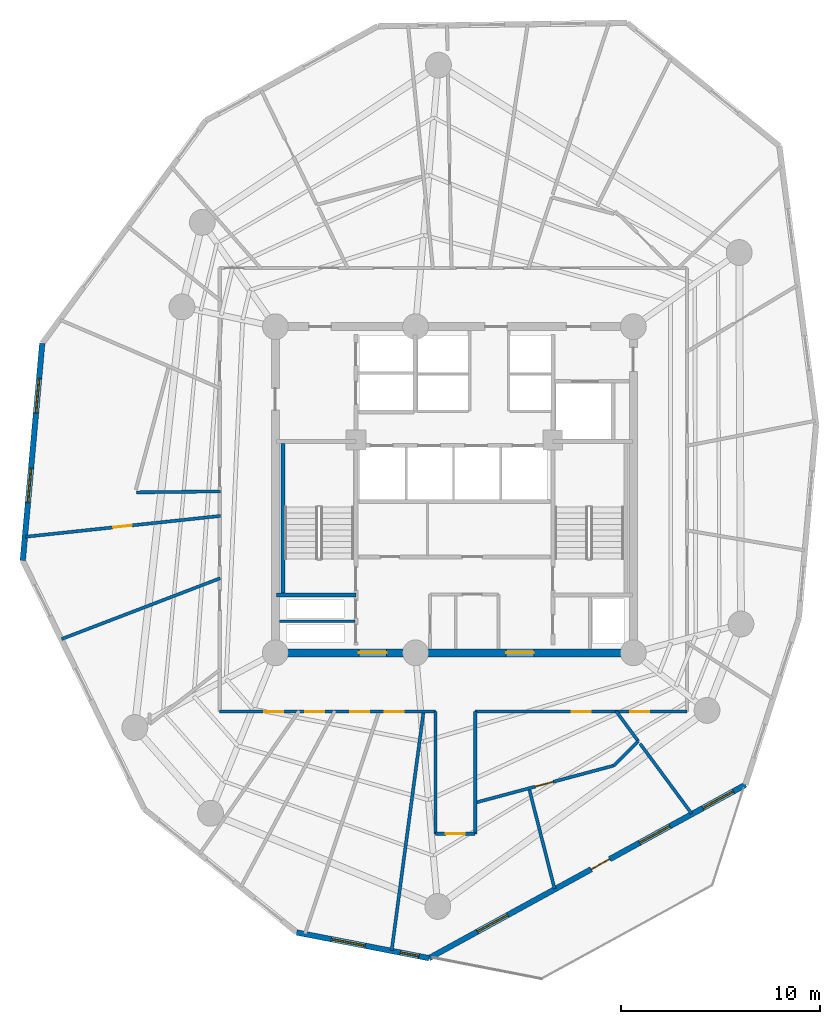
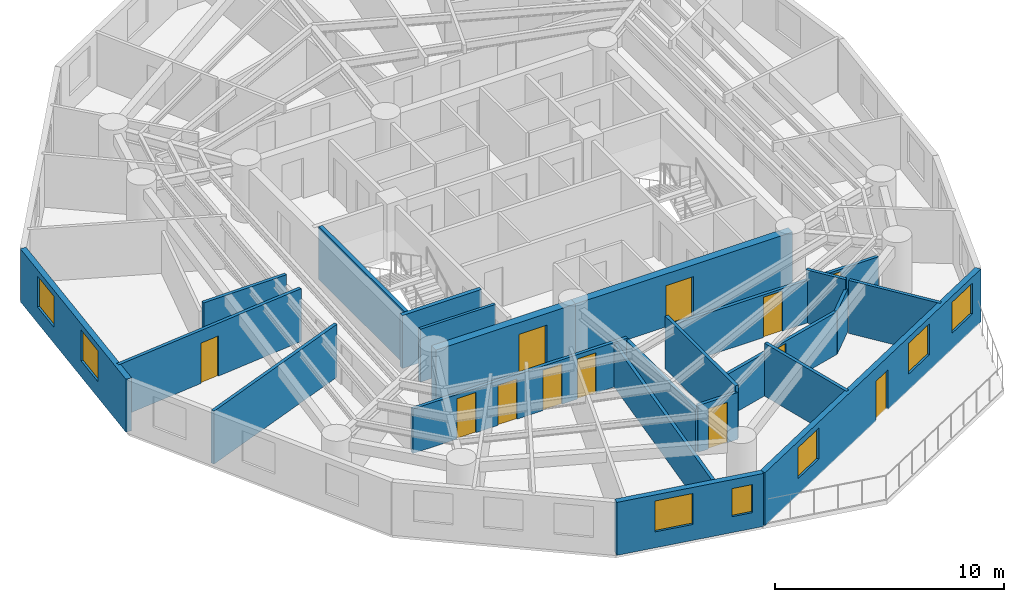
# One storey, part 3 of 8: 22 walls, 12 doors, 7 windows, 19 openings.
"""IFC4 building model written with IfcOpenShell, lengths in metres."""

from ifc_helpers import new_model, si_unit, direction, frame, frame_2d, origin, origin_with_axes, place, context, subcontext, project, spatial, rectangle, extrude, source, transform, mapped, material, layer, layer_set, type_object, element, fill, save


model = new_model("IFC4")

# Units and contexts
model_context = context("Model", 3, precision=1e-05, world=origin(), true_north=direction((0.0, 1.0)))
body_context = subcontext(model_context, "Body", "Model", "MODEL_VIEW")
ifc_project = project(units=[si_unit("LENGTHUNIT", "METRE"), si_unit("AREAUNIT", "SQUARE_METRE"), si_unit("VOLUMEUNIT", "CUBIC_METRE"), si_unit("PLANEANGLEUNIT", "RADIAN"), si_unit("MASSUNIT", "GRAM", prefix="KILO")], contexts=[model_context])

# Site, building, storey
site_placement = place(None, origin())
site = spatial("IfcSite", under=ifc_project, at=site_placement, CompositionType="ELEMENT")
building_placement = place(site_placement, origin())
building = spatial("IfcBuilding", under=site, at=building_placement, Name="Karkom Vertical University and Central Library", CompositionType="ELEMENT")
storey_placement = place(building_placement, frame((0.0, 0.0, 174.85009765625)))
storey = spatial("IfcBuildingStorey", under=building, at=storey_placement, Name="L50", CompositionType="ELEMENT", Elevation=174.85009765625)

# Wall, openings, windows
ifc_material_1 = material(Name="Brick-faced precast concrete C45/55", Category="masonry")
ifc_layer_1 = layer(ifc_material_1, 0.280029296875)
ifc_layer_set_1 = layer_set([ifc_layer_1], Name="Brick-faced precast concrete C45/55")
wall_type_1 = type_object("IfcWallType", Name="ENV-WL-BRK-280", PredefinedType="SOLIDWALL", material=ifc_layer_set_1)
wall_1_placement = place(storey_placement, frame((20.572021484375, 4.240234375, 0.0), z_axis=(0.0, 0.0, 1.0), x_axis=(0.981648925616, -0.190697107574, 0.0)))
wall_1 = element("IfcWall", 1, at=wall_1_placement, inside=storey, type_object=wall_type_1, Name="Level 50 Brick-Faced Precast Facade Wall 03", PredefinedType="SOLIDWALL", context=body_context, shape_type="SweptSolid", body=[
    extrude(rectangle(XDim=6.779052734375, YDim=0.280029296875, at=frame_2d((3.3896484375, 0.0))), origin(), (0.0, 0.0, 1.0), 2.824951171875),
])
opening_1_placement = place(wall_1_placement, frame((1.769287109375, 0.0, 0.85009765625)))
opening_1 = element("IfcOpeningElement", 2, at=opening_1_placement, cuts=wall_1, Name="Opening WN-08", PredefinedType="OPENING", context=body_context, shape_type="SweptSolid", body=[
    extrude(rectangle(XDim=1.75, YDim=1.64990234375, at=frame_2d((0.875, 0.824951171875))), frame((0.0, 0.14990234375, 0.0), z_axis=(0.0, -1.0, 0.0), x_axis=(1.0, 0.0, 0.0)), (0.0, 0.0, 1.0), 0.300048828125),
])
opening_2_placement = place(wall_1_placement, frame((5.314208984375, 0.0, 0.85009765625)))
opening_2 = element("IfcOpeningElement", 3, at=opening_2_placement, cuts=wall_1, Name="Opening WN-12", PredefinedType="OPENING", context=body_context, shape_type="SweptSolid", body=[
    extrude(rectangle(XDim=0.949951171875, YDim=1.5, at=frame_2d((0.47509765625, 0.75))), frame((0.0, 0.14990234375, 0.0), z_axis=(0.0, -1.0, 0.0), x_axis=(1.0, 0.0, 0.0)), (0.0, 0.0, 1.0), 0.300048828125),
])
ifc_material_2 = material(Name="Aluminium thermal-break frame with solar-control IGU", Category="aluminium")
window_type_1 = type_object("IfcWindowType", Name="ENV-WIN-WN-12", PartitioningType="SINGLE_PANEL", PredefinedType="WINDOW", material=ifc_material_2)
shared_shape_1 = source(origin_with_axes(), body_context, "Body", "SweptSolid", [
    extrude(rectangle(XDim=0.949951171875, YDim=1.5, at=frame_2d((0.47509765625, 0.75))), frame((0.0, 0.030029296875, 0.0), z_axis=(0.0, -1.0, 0.0), x_axis=(1.0, 0.0, 0.0)), (0.0, 0.0, 1.0), 0.06005859375),
])
window_1_placement = place(opening_2_placement, origin())
window_1 = element("IfcWindow", 4, at=window_1_placement, inside=storey, type_object=window_type_1, Name="Level 50 Punched Window 3.2", OverallHeight=1.5, OverallWidth=0.949951171875, PartitioningType="SINGLE_PANEL", PredefinedType="WINDOW", context=body_context, shape_type="MappedRepresentation", body=[
    mapped(shared_shape_1, transform((0.0, 0.0, 0.0), scale=1.0)),
])
fill(opening_2, window_1)
window_type_2 = type_object("IfcWindowType", Name="ENV-WIN-WN-08", PartitioningType="SINGLE_PANEL", PredefinedType="WINDOW", material=ifc_material_2)
shared_shape_2 = source(origin_with_axes(), body_context, "Body", "SweptSolid", [
    extrude(rectangle(XDim=1.75, YDim=1.64990234375, at=frame_2d((0.875, 0.824951171875))), frame((0.0, 0.030029296875, 0.0), z_axis=(0.0, -1.0, 0.0), x_axis=(1.0, 0.0, 0.0)), (0.0, 0.0, 1.0), 0.06005859375),
])
window_2_placement = place(opening_1_placement, origin())
window_2 = element("IfcWindow", 5, at=window_2_placement, inside=storey, type_object=window_type_2, Name="Level 50 Punched Window 3.1", OverallHeight=1.64990234375, OverallWidth=1.75, PartitioningType="SINGLE_PANEL", PredefinedType="WINDOW", context=body_context, shape_type="MappedRepresentation", body=[
    mapped(shared_shape_2, transform((0.0, 0.0, 0.0), scale=1.0)),
])
fill(opening_1, window_2)

# Wall, openings, door, windows
wall_2_placement = place(storey_placement, frame((27.2265625, 2.947509765625, 0.0), z_axis=(0.0, 0.0, 1.0), x_axis=(0.876944285919, 0.480592050906, 0.0)))
wall_2 = element("IfcWall", 6, at=wall_2_placement, inside=storey, type_object=wall_type_1, Name="Level 50 Brick-Faced Precast Facade Wall 04", PredefinedType="SOLIDWALL", context=body_context, shape_type="SweptSolid", body=[
    extrude(rectangle(XDim=18.148193359375, YDim=0.280029296875, at=frame_2d((9.07421875, 0.0))), origin(), (0.0, 0.0, 1.0), 2.824951171875),
])
opening_3_placement = place(wall_2_placement, frame((2.76611328125, 0.0, 0.85009765625)))
opening_3 = element("IfcOpeningElement", 7, at=opening_3_placement, cuts=wall_2, Name="Opening WN-08", PredefinedType="OPENING", context=body_context, shape_type="SweptSolid", body=[
    extrude(rectangle(XDim=1.75, YDim=1.64990234375, at=frame_2d((0.875, 0.824951171875))), frame((0.0, 0.14990234375, 0.0), z_axis=(0.0, -1.0, 0.0), x_axis=(1.0, 0.0, 0.0)), (0.0, 0.0, 1.0), 0.300048828125),
])
opening_4_placement = place(wall_2_placement, frame((12.07177734375, 0.0, 0.85009765625)))
opening_4 = element("IfcOpeningElement", 8, at=opening_4_placement, cuts=wall_2, Name="Opening WN-08", PredefinedType="OPENING", context=body_context, shape_type="SweptSolid", body=[
    extrude(rectangle(XDim=1.75, YDim=1.64990234375, at=frame_2d((0.875, 0.824951171875))), frame((0.0, 0.14990234375, 0.0), z_axis=(0.0, -1.0, 0.0), x_axis=(1.0, 0.0, 0.0)), (0.0, 0.0, 1.0), 0.300048828125),
])
opening_5_placement = place(wall_2_placement, frame((15.703369140625, 0.0, 0.85009765625)))
opening_5 = element("IfcOpeningElement", 9, at=opening_5_placement, cuts=wall_2, Name="Opening WN-08", PredefinedType="OPENING", context=body_context, shape_type="SweptSolid", body=[
    extrude(rectangle(XDim=1.75, YDim=1.64990234375, at=frame_2d((0.875, 0.824951171875))), frame((0.0, 0.14990234375, 0.0), z_axis=(0.0, -1.0, 0.0), x_axis=(1.0, 0.0, 0.0)), (0.0, 0.0, 1.0), 0.300048828125),
])
opening_6_placement = place(wall_2_placement, frame((9.305419921875, 0.0, 0.0)))
opening_6 = element("IfcOpeningElement", 10, at=opening_6_placement, cuts=wall_2, Name="Opening TD-1", PredefinedType="OPENING", context=body_context, shape_type="SweptSolid", body=[
    extrude(rectangle(XDim=1.050048828125, YDim=2.1201171875, at=frame_2d((0.52490234375, 1.06005859375))), frame((0.0, 0.14990234375, 0.0), z_axis=(0.0, -1.0, 0.0), x_axis=(1.0, 0.0, 0.0)), (0.0, 0.0, 1.0), 0.300048828125),
])
ifc_material_3 = material(Name="Thermally broken glazed aluminium terrace door", Category="aluminium")
door_type_1 = type_object("IfcDoorType", Name="ENV-DR-TERR", OperationType="NOTDEFINED", PredefinedType="DOOR", material=ifc_material_3)
shared_shape_3 = source(origin_with_axes(), body_context, "Body", "SweptSolid", [
    extrude(rectangle(XDim=1.050048828125, YDim=2.1201171875, at=frame_2d((0.52490234375, 1.06005859375))), frame((0.0, 0.02490234375, 0.0), z_axis=(0.0, -1.0, 0.0), x_axis=(1.0, 0.0, 0.0)), (0.0, 0.0, 1.0), 0.050048828125),
])
door_1_placement = place(opening_6_placement, origin())
door_1 = element("IfcDoor", 11, at=door_1_placement, inside=storey, type_object=door_type_1, Name="Level 50 Outdoor Terrace Access Door", OperationType="SINGLE_SWING_RIGHT", OverallHeight=2.1201171875, OverallWidth=1.050048828125, PredefinedType="DOOR", context=body_context, shape_type="MappedRepresentation", body=[
    mapped(shared_shape_3, transform((0.0, 0.0, 0.0), scale=1.0)),
])
fill(opening_6, door_1)
window_3_placement = place(opening_3_placement, origin())
window_3 = element("IfcWindow", 12, at=window_3_placement, inside=storey, type_object=window_type_2, Name="Level 50 Punched Window 4.1", OverallHeight=1.64990234375, OverallWidth=1.75, PartitioningType="SINGLE_PANEL", PredefinedType="WINDOW", context=body_context, shape_type="MappedRepresentation", body=[
    mapped(shared_shape_2, transform((0.0, 0.0, 0.0), scale=1.0)),
])
fill(opening_3, window_3)
window_4_placement = place(opening_4_placement, origin())
window_4 = element("IfcWindow", 13, at=window_4_placement, inside=storey, type_object=window_type_2, Name="Level 50 Punched Window 4.3", OverallHeight=1.64990234375, OverallWidth=1.75, PartitioningType="SINGLE_PANEL", PredefinedType="WINDOW", context=body_context, shape_type="MappedRepresentation", body=[
    mapped(shared_shape_2, transform((0.0, 0.0, 0.0), scale=1.0)),
])
fill(opening_4, window_4)
window_5_placement = place(opening_5_placement, origin())
window_5 = element("IfcWindow", 14, at=window_5_placement, inside=storey, type_object=window_type_2, Name="Level 50 Punched Window 4.4", OverallHeight=1.64990234375, OverallWidth=1.75, PartitioningType="SINGLE_PANEL", PredefinedType="WINDOW", context=body_context, shape_type="MappedRepresentation", body=[
    mapped(shared_shape_2, transform((0.0, 0.0, 0.0), scale=1.0)),
])
fill(opening_5, window_5)

# Wall, openings, windows
wall_3_placement = place(storey_placement, frame((7.779052734375, 33.86181640625, 0.0), z_axis=(0.0, 0.0, 1.0), x_axis=(-0.08925100572, -0.996009165609, 0.0)))
wall_3 = element("IfcWall", 15, at=wall_3_placement, inside=storey, type_object=wall_type_1, Name="Level 50 Brick-Faced Precast Facade Wall 12", PredefinedType="SOLIDWALL", context=body_context, shape_type="SweptSolid", body=[
    extrude(rectangle(XDim=10.96630859375, YDim=0.280029296875, at=frame_2d((5.483154296875, 0.0))), origin(), (0.0, 0.0, 1.0), 2.824951171875),
])
opening_7_placement = place(wall_3_placement, frame((1.76904296875, 0.0, 0.85009765625)))
opening_7 = element("IfcOpeningElement", 16, at=opening_7_placement, cuts=wall_3, Name="Opening WN-08", PredefinedType="OPENING", context=body_context, shape_type="SweptSolid", body=[
    extrude(rectangle(XDim=1.75, YDim=1.64990234375, at=frame_2d((0.875, 0.824951171875))), frame((0.0, 0.14990234375, 0.0), z_axis=(0.0, -1.0, 0.0), x_axis=(1.0, 0.0, 0.0)), (0.0, 0.0, 1.0), 0.300048828125),
])
opening_8_placement = place(wall_3_placement, frame((6.296875, 0.0, 0.85009765625)))
opening_8 = element("IfcOpeningElement", 17, at=opening_8_placement, cuts=wall_3, Name="Opening WN-08", PredefinedType="OPENING", context=body_context, shape_type="SweptSolid", body=[
    extrude(rectangle(XDim=1.75, YDim=1.64990234375, at=frame_2d((0.875, 0.824951171875))), frame((0.0, 0.14990234375, 0.0), z_axis=(0.0, -1.0, 0.0), x_axis=(1.0, 0.0, 0.0)), (0.0, 0.0, 1.0), 0.300048828125),
])
window_6_placement = place(opening_7_placement, origin())
window_6 = element("IfcWindow", 18, at=window_6_placement, inside=storey, type_object=window_type_2, Name="Level 50 Punched Window 12.1", OverallHeight=1.64990234375, OverallWidth=1.75, PartitioningType="SINGLE_PANEL", PredefinedType="WINDOW", context=body_context, shape_type="MappedRepresentation", body=[
    mapped(shared_shape_2, transform((0.0, 0.0, 0.0), scale=1.0)),
])
fill(opening_7, window_6)
window_7_placement = place(opening_8_placement, origin())
window_7 = element("IfcWindow", 19, at=window_7_placement, inside=storey, type_object=window_type_2, Name="Level 50 Punched Window 12.2", OverallHeight=1.64990234375, OverallWidth=1.75, PartitioningType="SINGLE_PANEL", PredefinedType="WINDOW", context=body_context, shape_type="MappedRepresentation", body=[
    mapped(shared_shape_2, transform((0.0, 0.0, 0.0), scale=1.0)),
])
fill(opening_8, window_7)

# Wall
ifc_material_4 = material(Name="Insulated metal-stud drywall 160mm", Category="gypsum")
ifc_layer_2 = layer(ifc_material_4, 0.159912109375)
ifc_layer_set_2 = layer_set([ifc_layer_2], Name="Insulated metal-stud drywall 160mm")
wall_type_2 = type_object("IfcWallType", Name="INT-WL-COR-160", PredefinedType="PARTITIONING", material=ifc_layer_set_2)
wall_4_placement = place(storey_placement, frame((26.955810546875, 15.379638671875, 0.0), z_axis=(0.0, 0.0, 1.0), x_axis=(-0.13225454834, -0.991215786014, 0.0)))
element("IfcWall", 20, at=wall_4_placement, inside=storey, type_object=wall_type_2, Name="Level 50 Interior Partition Wall L50-PW-009", PredefinedType="PARTITIONING", context=body_context, shape_type="SweptSolid", body=[
    extrude(rectangle(XDim=12.1484375, YDim=0.159912109375, at=frame_2d((6.07421875, 0.0))), origin(), (0.0, 0.0, 1.0), 2.27490234375),
])

# Wall, openings, doors
wall_5_placement = place(storey_placement, frame((27.550048828125, 15.35009765625, 0.0), z_axis=(0.0, 0.0, 1.0), x_axis=(-1.0, 0.0, 0.0)))
wall_5 = element("IfcWall", 21, at=wall_5_placement, inside=storey, type_object=wall_type_2, Name="Level 50 Interior Partition Wall L50-CORW-CW-001", PredefinedType="PARTITIONING", context=body_context, shape_type="SweptSolid", body=[
    extrude(rectangle(XDim=10.85009765625, YDim=0.159912109375, at=frame_2d((5.425048828125, 0.0))), origin(), (0.0, 0.0, 1.0), 2.375),
])
opening_9_placement = place(wall_5_placement, frame((7.66259765625, 0.0, 0.0)))
opening_9 = element("IfcOpeningElement", 22, at=opening_9_placement, cuts=wall_5, Name="Opening D-RM1", PredefinedType="OPENING", context=body_context, shape_type="SweptSolid", body=[
    extrude(rectangle(XDim=0.949951171875, YDim=2.14990234375, at=frame_2d((0.47509765625, 1.074951171875))), frame((0.0, 0.08984375, 0.0), z_axis=(0.0, -1.0, 0.0), x_axis=(1.0, 0.0, 0.0)), (0.0, 0.0, 1.0), 0.179931640625),
])
opening_10_placement = place(wall_5_placement, frame((5.590087890625, 0.0, 0.0)))
opening_10 = element("IfcOpeningElement", 23, at=opening_10_placement, cuts=wall_5, Name="Opening D-RM1", PredefinedType="OPENING", context=body_context, shape_type="SweptSolid", body=[
    extrude(rectangle(XDim=0.949951171875, YDim=2.14990234375, at=frame_2d((0.47509765625, 1.074951171875))), frame((0.0, 0.08984375, 0.0), z_axis=(0.0, -1.0, 0.0), x_axis=(1.0, 0.0, 0.0)), (0.0, 0.0, 1.0), 0.179931640625),
])
opening_11_placement = place(wall_5_placement, frame((3.322509765625, 0.0, 0.0)))
opening_11 = element("IfcOpeningElement", 24, at=opening_11_placement, cuts=wall_5, Name="Opening D-RM1", PredefinedType="OPENING", context=body_context, shape_type="SweptSolid", body=[
    extrude(rectangle(XDim=0.949951171875, YDim=2.14990234375, at=frame_2d((0.47509765625, 1.074951171875))), frame((0.0, 0.08984375, 0.0), z_axis=(0.0, -1.0, 0.0), x_axis=(1.0, 0.0, 0.0)), (0.0, 0.0, 1.0), 0.179931640625),
])
opening_12_placement = place(wall_5_placement, frame((1.597412109375, 0.0, 0.0)))
opening_12 = element("IfcOpeningElement", 25, at=opening_12_placement, cuts=wall_5, Name="Opening D-RM1", PredefinedType="OPENING", context=body_context, shape_type="SweptSolid", body=[
    extrude(rectangle(XDim=0.949951171875, YDim=2.14990234375, at=frame_2d((0.47509765625, 1.074951171875))), frame((0.0, 0.08984375, 0.0), z_axis=(0.0, -1.0, 0.0), x_axis=(1.0, 0.0, 0.0)), (0.0, 0.0, 1.0), 0.179931640625),
])
ifc_material_5 = material(Name="Solid-core oak veneer door", Category="wood")
door_type_2 = type_object("IfcDoorType", Name="INT-DR-RM1", OperationType="NOTDEFINED", PredefinedType="DOOR", material=ifc_material_5)
shared_shape_4 = source(origin_with_axes(), body_context, "Body", "SweptSolid", [
    extrude(rectangle(XDim=0.949951171875, YDim=2.14990234375, at=frame_2d((0.47509765625, 1.074951171875))), frame((0.0, 0.02490234375, 0.0), z_axis=(0.0, -1.0, 0.0), x_axis=(1.0, 0.0, 0.0)), (0.0, 0.0, 1.0), 0.050048828125),
])
door_2_placement = place(opening_9_placement, origin())
door_2 = element("IfcDoor", 26, at=door_2_placement, inside=storey, type_object=door_type_2, Name="Level 50 Room Entry Door 020", OperationType="SINGLE_SWING_RIGHT", OverallHeight=2.14990234375, OverallWidth=0.949951171875, PredefinedType="DOOR", context=body_context, shape_type="MappedRepresentation", body=[
    mapped(shared_shape_4, transform((0.0, 0.0, 0.0), scale=1.0)),
])
fill(opening_9, door_2)
door_3_placement = place(opening_10_placement, origin())
door_3 = element("IfcDoor", 27, at=door_3_placement, inside=storey, type_object=door_type_2, Name="Level 50 Room Entry Door 030", OperationType="SINGLE_SWING_LEFT", OverallHeight=2.14990234375, OverallWidth=0.949951171875, PredefinedType="DOOR", context=body_context, shape_type="MappedRepresentation", body=[
    mapped(shared_shape_4, transform((0.0, 0.0, 0.0), scale=1.0)),
])
fill(opening_10, door_3)
door_4_placement = place(opening_11_placement, origin())
door_4 = element("IfcDoor", 28, at=door_4_placement, inside=storey, type_object=door_type_2, Name="Level 50 Room Entry Door 040", OperationType="SINGLE_SWING_RIGHT", OverallHeight=2.14990234375, OverallWidth=0.949951171875, PredefinedType="DOOR", context=body_context, shape_type="MappedRepresentation", body=[
    mapped(shared_shape_4, transform((0.0, 0.0, 0.0), scale=1.0)),
])
fill(opening_11, door_4)
door_5_placement = place(opening_12_placement, origin())
door_5 = element("IfcDoor", 29, at=door_5_placement, inside=storey, type_object=door_type_2, Name="Level 50 Room Entry Door 050", OperationType="SINGLE_SWING_LEFT", OverallHeight=2.14990234375, OverallWidth=0.949951171875, PredefinedType="DOOR", context=body_context, shape_type="MappedRepresentation", body=[
    mapped(shared_shape_4, transform((0.0, 0.0, 0.0), scale=1.0)),
])
fill(opening_12, door_5)

wall_6_placement = place(storey_placement, frame((40.199951171875, 15.35009765625, 0.0), z_axis=(0.0, 0.0, 1.0), x_axis=(-1.0, 0.0, 0.0)))
wall_6 = element("IfcWall", 30, at=wall_6_placement, inside=storey, type_object=wall_type_2, Name="Level 50 Interior Partition Wall L50-CORW-CW-005", PredefinedType="PARTITIONING", context=body_context, shape_type="SweptSolid", body=[
    extrude(rectangle(XDim=10.64990234375, YDim=0.159912109375, at=frame_2d((5.324951171875, 0.0))), origin(), (0.0, 0.0, 1.0), 2.27490234375),
])
opening_13_placement = place(wall_6_placement, frame((4.85009765625, 0.0, 0.0)))
opening_13 = element("IfcOpeningElement", 31, at=opening_13_placement, cuts=wall_6, Name="Opening D-RM1", PredefinedType="OPENING", context=body_context, shape_type="SweptSolid", body=[
    extrude(rectangle(XDim=0.949951171875, YDim=2.14990234375, at=frame_2d((0.47509765625, 1.074951171875))), frame((0.0, 0.08984375, 0.0), z_axis=(0.0, -1.0, 0.0), x_axis=(1.0, 0.0, 0.0)), (0.0, 0.0, 1.0), 0.179931640625),
])
opening_14_placement = place(wall_6_placement, frame((1.8974609375, 0.0, 0.0)))
opening_14 = element("IfcOpeningElement", 32, at=opening_14_placement, cuts=wall_6, Name="Opening D-RM1", PredefinedType="OPENING", context=body_context, shape_type="SweptSolid", body=[
    extrude(rectangle(XDim=0.949951171875, YDim=2.14990234375, at=frame_2d((0.47509765625, 1.074951171875))), frame((0.0, 0.08984375, 0.0), z_axis=(0.0, -1.0, 0.0), x_axis=(1.0, 0.0, 0.0)), (0.0, 0.0, 1.0), 0.179931640625),
])
door_6_placement = place(opening_13_placement, origin())
door_6 = element("IfcDoor", 33, at=door_6_placement, inside=storey, type_object=door_type_2, Name="Level 50 Room Entry Door 070", OperationType="SINGLE_SWING_LEFT", OverallHeight=2.14990234375, OverallWidth=0.949951171875, PredefinedType="DOOR", context=body_context, shape_type="MappedRepresentation", body=[
    mapped(shared_shape_4, transform((0.0, 0.0, 0.0), scale=1.0)),
])
fill(opening_13, door_6)
door_7_placement = place(opening_14_placement, origin())
door_7 = element("IfcDoor", 34, at=door_7_placement, inside=storey, type_object=door_type_2, Name="Level 50 Room Entry Door 090", OperationType="SINGLE_SWING_RIGHT", OverallHeight=2.14990234375, OverallWidth=0.949951171875, PredefinedType="DOOR", context=body_context, shape_type="MappedRepresentation", body=[
    mapped(shared_shape_4, transform((0.0, 0.0, 0.0), scale=1.0)),
])
fill(opening_14, door_7)

# Wall, opening, door
wall_7_placement = place(storey_placement, frame((6.933837890625, 24.1357421875, 0.0), z_axis=(0.0, 0.0, 1.0), x_axis=(0.994342242763, 0.106223840347, 0.0)))
wall_7 = element("IfcWall", 35, at=wall_7_placement, inside=storey, type_object=wall_type_2, Name="Level 50 Interior Partition Wall L50-PW-002", PredefinedType="PARTITIONING", context=body_context, shape_type="SweptSolid", body=[
    extrude(rectangle(XDim=9.866943359375, YDim=0.159912109375, at=frame_2d((4.93359375, 0.0))), origin(), (0.0, 0.0, 1.0), 2.824951171875),
])
opening_15_placement = place(wall_7_placement, frame((4.433349609375, 0.0, 0.0)))
opening_15 = element("IfcOpeningElement", 36, at=opening_15_placement, cuts=wall_7, Name="Opening D-RM1", PredefinedType="OPENING", context=body_context, shape_type="SweptSolid", body=[
    extrude(rectangle(XDim=0.949951171875, YDim=2.14990234375, at=frame_2d((0.47509765625, 1.074951171875))), frame((0.0, 0.08984375, 0.0), z_axis=(0.0, -1.0, 0.0), x_axis=(1.0, 0.0, 0.0)), (0.0, 0.0, 1.0), 0.179931640625),
])
door_8_placement = place(opening_15_placement, origin())
door_8 = element("IfcDoor", 37, at=door_8_placement, inside=storey, type_object=door_type_2, Name="Level 50 Room Entry Door 260", OperationType="SINGLE_SWING_RIGHT", OverallHeight=2.14990234375, OverallWidth=0.949951171875, PredefinedType="DOOR", context=body_context, shape_type="MappedRepresentation", body=[
    mapped(shared_shape_4, transform((0.0, 0.0, 0.0), scale=1.0)),
])
fill(opening_15, door_8)

# Wall
wall_8_placement = place(storey_placement, frame((16.72802734375, 22.051513671875, 0.0), z_axis=(0.0, 0.0, 1.0), x_axis=(-0.933737039781, -0.357959691225, 0.0)))
element("IfcWall", 38, at=wall_8_placement, inside=storey, type_object=wall_type_2, Name="Level 50 Interior Partition Wall L50-PW-001", PredefinedType="PARTITIONING", context=body_context, shape_type="SweptSolid", body=[
    extrude(rectangle(XDim=8.539794921875, YDim=0.159912109375, at=frame_2d((4.27001953125, 0.0))), origin(), (0.0, 0.0, 1.0), 2.824951171875),
])

# Wall, opening, door
wall_9_placement = place(storey_placement, frame((36.508544921875, 12.628662109375, 0.0), z_axis=(0.0, 0.0, 1.0), x_axis=(-0.965925605542, -0.258819868939, 0.0)))
wall_9 = element("IfcWall", 39, at=wall_9_placement, inside=storey, type_object=wall_type_2, Name="Level 50 Interior Partition Wall L50-PW-013", PredefinedType="PARTITIONING", context=body_context, shape_type="SweptSolid", body=[
    extrude(rectangle(XDim=7.234130859375, YDim=0.159912109375, at=frame_2d((3.6171875, 0.0))), origin(), (0.0, 0.0, 1.0), 2.27490234375),
])
opening_16_placement = place(wall_9_placement, frame((3.14208984375, 0.0, 0.0)))
opening_16 = element("IfcOpeningElement", 40, at=opening_16_placement, cuts=wall_9, Name="Opening D-RM1", PredefinedType="OPENING", context=body_context, shape_type="SweptSolid", body=[
    extrude(rectangle(XDim=0.949951171875, YDim=2.14990234375, at=frame_2d((0.47509765625, 1.074951171875))), frame((0.0, 0.08984375, 0.0), z_axis=(0.0, -1.0, 0.0), x_axis=(1.0, 0.0, 0.0)), (0.0, 0.0, 1.0), 0.179931640625),
])
door_9_placement = place(opening_16_placement, origin())
door_9 = element("IfcDoor", 41, at=door_9_placement, inside=storey, type_object=door_type_2, Name="Level 50 Room Entry Door 080", OperationType="SINGLE_SWING_RIGHT", OverallHeight=2.14990234375, OverallWidth=0.949951171875, PredefinedType="DOOR", context=body_context, shape_type="MappedRepresentation", body=[
    mapped(shared_shape_4, transform((0.0, 0.0, 0.0), scale=1.0)),
])
fill(opening_16, door_9)

# Walls
wall_10_placement = place(storey_placement, frame((29.550048828125, 15.35009765625, 0.0), z_axis=(0.0, 0.0, 1.0), x_axis=(0.0, -1.0, 0.0)))
element("IfcWall", 42, at=wall_10_placement, inside=storey, type_object=wall_type_2, Name="Level 50 Interior Partition Wall L50-CORW-CW-006", PredefinedType="PARTITIONING", context=body_context, shape_type="SweptSolid", body=[
    extrude(rectangle(XDim=6.150146484375, YDim=0.159912109375, at=frame_2d((3.0751953125, 0.0))), origin(), (0.0, 0.0, 1.0), 2.824951171875),
])
wall_11_placement = place(storey_placement, frame((27.550048828125, 9.199951171875, 0.0), z_axis=(0.0, 0.0, 1.0), x_axis=(0.0, 1.0, 0.0)))
element("IfcWall", 43, at=wall_11_placement, inside=storey, type_object=wall_type_2, Name="Level 50 Interior Partition Wall L50-CORW-CW-008", PredefinedType="PARTITIONING", context=body_context, shape_type="SweptSolid", body=[
    extrude(rectangle(XDim=6.150146484375, YDim=0.159912109375, at=frame_2d((3.0751953125, 0.0))), origin(), (0.0, 0.0, 1.0), 2.27490234375),
])
wall_12_placement = place(storey_placement, frame((32.2763671875, 11.404541015625, 0.0), z_axis=(0.0, 0.0, 1.0), x_axis=(0.246411670892, -0.969165253426, 0.0)))
element("IfcWall", 44, at=wall_12_placement, inside=storey, type_object=wall_type_2, Name="Level 50 Interior Partition Wall L50-PW-011", PredefinedType="PARTITIONING", context=body_context, shape_type="SweptSolid", body=[
    extrude(rectangle(XDim=5.125244140625, YDim=0.159912109375, at=frame_2d((2.5625, 0.0))), origin(), (0.0, 0.0, 1.0), 2.824951171875),
])
wall_13_placement = place(storey_placement, frame((37.838623046875, 13.732421875, 0.0), z_axis=(0.0, 0.0, 1.0), x_axis=(0.593429541898, -0.804885941486, 0.0)))
element("IfcWall", 45, at=wall_13_placement, inside=storey, type_object=wall_type_2, Name="Level 50 Interior Partition Wall L50-PW-015", PredefinedType="PARTITIONING", context=body_context, shape_type="SweptSolid", body=[
    extrude(rectangle(XDim=4.37109375, YDim=0.159912109375, at=frame_2d((2.185546875, 0.0))), origin(), (0.0, 0.0, 1.0), 2.824951171875),
])
wall_14_placement = place(storey_placement, frame((16.72998046875, 26.41845703125, 0.0), z_axis=(0.0, 0.0, 1.0), x_axis=(-0.99992731902, -0.012056395708, 0.0)))
element("IfcWall", 46, at=wall_14_placement, inside=storey, type_object=wall_type_2, Name="Level 50 Interior Partition Wall L50-PW-038", PredefinedType="PARTITIONING", context=body_context, shape_type="SweptSolid", body=[
    extrude(rectangle(XDim=4.2119140625, YDim=0.159912109375, at=frame_2d((2.10595703125, 0.0))), origin(), (0.0, 0.0, 1.0), 2.824951171875),
])

# Wall, opening, door
wall_15_placement = place(storey_placement, frame((29.550048828125, 9.199951171875, 0.0), z_axis=(0.0, 0.0, 1.0), x_axis=(-1.0, 0.0, 0.0)))
wall_15 = element("IfcWall", 47, at=wall_15_placement, inside=storey, type_object=wall_type_2, Name="Level 50 Interior Partition Wall L50-CORW-CW-007", PredefinedType="PARTITIONING", context=body_context, shape_type="SweptSolid", body=[
    extrude(rectangle(XDim=2.0, YDim=0.159912109375, at=frame_2d((1.0, 0.0))), origin(), (0.0, 0.0, 1.0), 2.494873046875),
])
opening_17_placement = place(wall_15_placement, frame((0.52490234375, 0.0, 0.0)))
opening_17 = element("IfcOpeningElement", 48, at=opening_17_placement, cuts=wall_15, Name="Opening D-RM1", PredefinedType="OPENING", context=body_context, shape_type="SweptSolid", body=[
    extrude(rectangle(XDim=0.949951171875, YDim=2.14990234375, at=frame_2d((0.47509765625, 1.074951171875))), frame((0.0, 0.08984375, 0.0), z_axis=(0.0, -1.0, 0.0), x_axis=(1.0, 0.0, 0.0)), (0.0, 0.0, 1.0), 0.179931640625),
])
door_10_placement = place(opening_17_placement, origin())
door_10 = element("IfcDoor", 49, at=door_10_placement, inside=storey, type_object=door_type_2, Name="Level 50 Room Entry Door 060", OperationType="SINGLE_SWING_RIGHT", OverallHeight=2.14990234375, OverallWidth=0.949951171875, PredefinedType="DOOR", context=body_context, shape_type="MappedRepresentation", body=[
    mapped(shared_shape_4, transform((0.0, 0.0, 0.0), scale=1.0)),
])
fill(opening_17, door_10)

# Walls
wall_16_placement = place(storey_placement, frame((36.628173828125, 15.3740234375, 0.0), z_axis=(0.0, 0.0, 1.0), x_axis=(0.593385290423, -0.804918565514, 0.0)))
element("IfcWall", 50, at=wall_16_placement, inside=storey, type_object=wall_type_2, Name="Level 50 Interior Partition Wall L50-PW-014", PredefinedType="PARTITIONING", context=body_context, shape_type="SweptSolid", body=[
    extrude(rectangle(XDim=1.877685546875, YDim=0.159912109375, at=frame_2d((0.93896484375, 0.0))), origin(), (0.0, 0.0, 1.0), 2.824951171875),
])
wall_17_placement = place(storey_placement, frame((37.742431640625, 13.862548828125, 0.0), z_axis=(0.0, 0.0, 1.0), x_axis=(-0.707106781187, -0.707106781187, 0.0)))
element("IfcWall", 51, at=wall_17_placement, inside=storey, type_object=wall_type_2, Name="Level 50 Interior Partition Wall L50-PW-012", PredefinedType="PARTITIONING", context=body_context, shape_type="SweptSolid", body=[
    extrude(rectangle(XDim=1.744873046875, YDim=0.159912109375, at=frame_2d((0.87255859375, 0.0))), origin(), (0.0, 0.0, 1.0), 2.27490234375),
])
ifc_material_6 = material(Name="Metal-stud gypsum partition 140mm", Category="gypsum")
ifc_layer_3 = layer(ifc_material_6, 0.139892578125)
ifc_layer_set_3 = layer_set([ifc_layer_3], Name="Metal-stud gypsum partition 140mm")
wall_type_3 = type_object("IfcWallType", Name="INT-WL-SUB-140H", PredefinedType="PARTITIONING", material=ifc_layer_set_3)
wall_18_placement = place(storey_placement, frame((19.70703125, 19.889892578125, 0.0), z_axis=(0.0, 0.0, 1.0), x_axis=(1.0, 0.0, 0.0)))
element("IfcWall", 52, at=wall_18_placement, inside=storey, type_object=wall_type_3, Name="Level 50 Interior Partition Wall L50-CW-RIS-W", PredefinedType="PARTITIONING", context=body_context, shape_type="SweptSolid", body=[
    extrude(rectangle(XDim=3.789794921875, YDim=0.139892578125, at=frame_2d((1.89501953125, 0.0))), origin(), (0.0, 0.0, 1.0), 2.824951171875),
])

# Wall, opening, door
ifc_material_7 = material(Name="Concrete C50/60", Category="concrete")
ifc_layer_4 = layer(ifc_material_7, 0.39990234375)
ifc_layer_set_4 = layer_set([ifc_layer_4], Name="Concrete C50/60")
wall_type_4 = type_object("IfcWallType", Name="STR-WL-CW-400", PredefinedType="SHEAR", material=ifc_layer_set_4)
wall_19_placement = place(storey_placement, frame((19.5, 18.300048828125, 0.0), z_axis=(0.0, 0.0, 1.0), x_axis=(1.0, 0.0, 0.0)))
wall_19 = element("IfcWall", 53, at=wall_19_placement, inside=storey, type_object=wall_type_4, Name="Level 50 Central Core Shear Wall SW1", PredefinedType="SHEAR", context=body_context, shape_type="SweptSolid", body=[
    extrude(rectangle(XDim=7.050048828125, YDim=0.39990234375, at=frame_2d((3.52490234375, 0.0))), origin(), (0.0, 0.0, 1.0), 2.824951171875),
])
opening_18_placement = place(wall_19_placement, frame((4.199951171875, 0.0, 0.0)))
opening_18 = element("IfcOpeningElement", 54, at=opening_18_placement, cuts=wall_19, Name="Opening FD-CLB", PredefinedType="OPENING", context=body_context, shape_type="SweptSolid", body=[
    extrude(rectangle(XDim=1.39990234375, YDim=2.199951171875, at=frame_2d((0.699951171875, 1.10009765625))), frame((0.0, 0.2099609375, 0.0), z_axis=(0.0, -1.0, 0.0), x_axis=(1.0, 0.0, 0.0)), (0.0, 0.0, 1.0), 0.419921875),
])
ifc_material_8 = material(Name="Painted steel fire door", Category="steel")
door_type_3 = type_object("IfcDoorType", Name="INT-DR-CLB", OperationType="DOUBLE_DOOR_SINGLE_SWING", PredefinedType="DOOR", material=ifc_material_8)
shared_shape_5 = source(origin_with_axes(), body_context, "Body", "SweptSolid", [
    extrude(rectangle(XDim=1.39990234375, YDim=2.199951171875, at=frame_2d((0.699951171875, 1.10009765625))), frame((0.0, 0.02490234375, 0.0), z_axis=(0.0, -1.0, 0.0), x_axis=(1.0, 0.0, 0.0)), (0.0, 0.0, 1.0), 0.050048828125),
])
door_11_placement = place(opening_18_placement, origin())
door_11 = element("IfcDoor", 55, at=door_11_placement, inside=storey, type_object=door_type_3, Name="Level 50 South Core Lobby West Exit Door", OperationType="DOUBLE_DOOR_SINGLE_SWING", OverallHeight=2.199951171875, OverallWidth=1.39990234375, PredefinedType="DOOR", context=body_context, shape_type="MappedRepresentation", body=[
    mapped(shared_shape_5, transform((0.0, 0.0, 0.0), scale=1.0)),
])
fill(opening_18, door_11)

wall_20_placement = place(storey_placement, frame((26.550048828125, 18.300048828125, 0.0), z_axis=(0.0, 0.0, 1.0), x_axis=(1.0, 0.0, 0.0)))
wall_20 = element("IfcWall", 56, at=wall_20_placement, inside=storey, type_object=wall_type_4, Name="Level 50 Central Core Shear Wall SW2", PredefinedType="SHEAR", context=body_context, shape_type="SweptSolid", body=[
    extrude(rectangle(XDim=10.949951171875, YDim=0.39990234375, at=frame_2d((5.47509765625, 0.0))), origin(), (0.0, 0.0, 1.0), 2.824951171875),
])
opening_19_placement = place(wall_20_placement, frame((4.550048828125, 0.0, 0.0)))
opening_19 = element("IfcOpeningElement", 57, at=opening_19_placement, cuts=wall_20, Name="Opening FD-CLB", PredefinedType="OPENING", context=body_context, shape_type="SweptSolid", body=[
    extrude(rectangle(XDim=1.39990234375, YDim=2.199951171875, at=frame_2d((0.699951171875, 1.10009765625))), frame((0.0, 0.2099609375, 0.0), z_axis=(0.0, -1.0, 0.0), x_axis=(1.0, 0.0, 0.0)), (0.0, 0.0, 1.0), 0.419921875),
])
door_12_placement = place(opening_19_placement, origin())
door_12 = element("IfcDoor", 58, at=door_12_placement, inside=storey, type_object=door_type_3, Name="Level 50 South Core Lobby East Exit Door", OperationType="DOUBLE_DOOR_SINGLE_SWING", OverallHeight=2.199951171875, OverallWidth=1.39990234375, PredefinedType="DOOR", context=body_context, shape_type="MappedRepresentation", body=[
    mapped(shared_shape_5, transform((0.0, 0.0, 0.0), scale=1.0)),
])
fill(opening_19, door_12)

# Walls
ifc_material_9 = material(Name="Concrete C45/55", Category="concrete")
ifc_layer_5 = layer(ifc_material_9, 0.199951171875)
ifc_layer_set_5 = layer_set([ifc_layer_5], Name="Concrete C45/55")
wall_type_5 = type_object("IfcWallType", Name="STR-WL-ST-200", PredefinedType="SHEAR", material=ifc_layer_set_5)
wall_21_placement = place(storey_placement, frame((19.875, 21.320068359375, 0.0), z_axis=(0.0, 0.0, 1.0), x_axis=(0.0, 1.0, 0.0)))
element("IfcWall", 59, at=wall_21_placement, inside=storey, type_object=wall_type_5, Name="Level 50 Core Shaft Wall L50-CW-ST1-W", PredefinedType="SHEAR", context=body_context, shape_type="SweptSolid", body=[
    extrude(rectangle(XDim=7.5, YDim=0.199951171875, at=frame_2d((3.75, 0.0))), origin(), (0.0, 0.0, 1.0), 2.824951171875),
])
wall_22_placement = place(storey_placement, frame((19.550048828125, 21.215087890625, 0.0), z_axis=(0.0, 0.0, 1.0), x_axis=(1.0, 0.0, 0.0)))
element("IfcWall", 60, at=wall_22_placement, inside=storey, type_object=wall_type_5, Name="Level 50 Core Shaft Wall L50-CW-ST1-S", PredefinedType="SHEAR", context=body_context, shape_type="SweptSolid", body=[
    extrude(rectangle(XDim=3.994873046875, YDim=0.199951171875, at=frame_2d((1.99755859375, 0.0))), origin(), (0.0, 0.0, 1.0), 2.824951171875),
])

save(model, "model.ifc")
